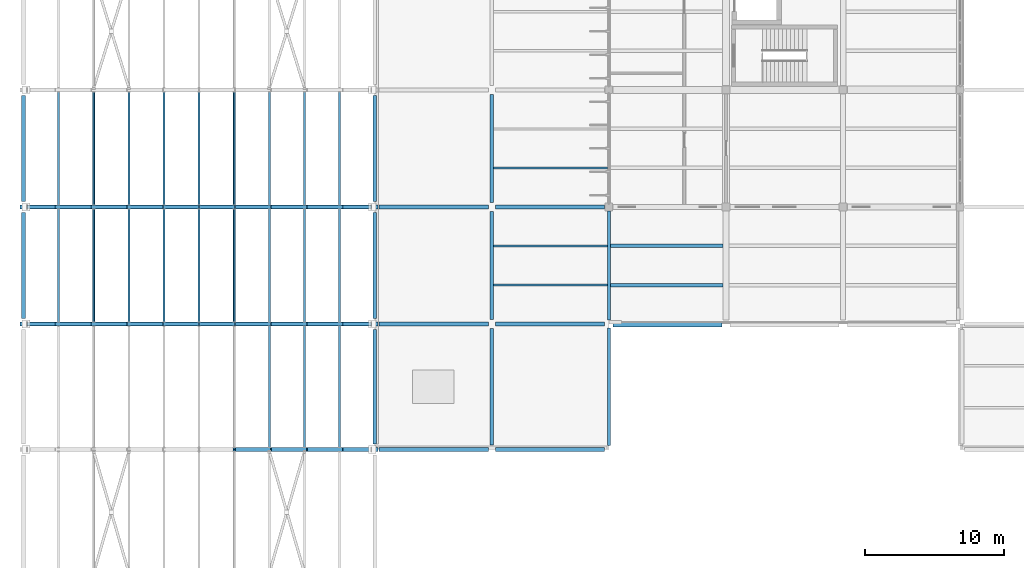
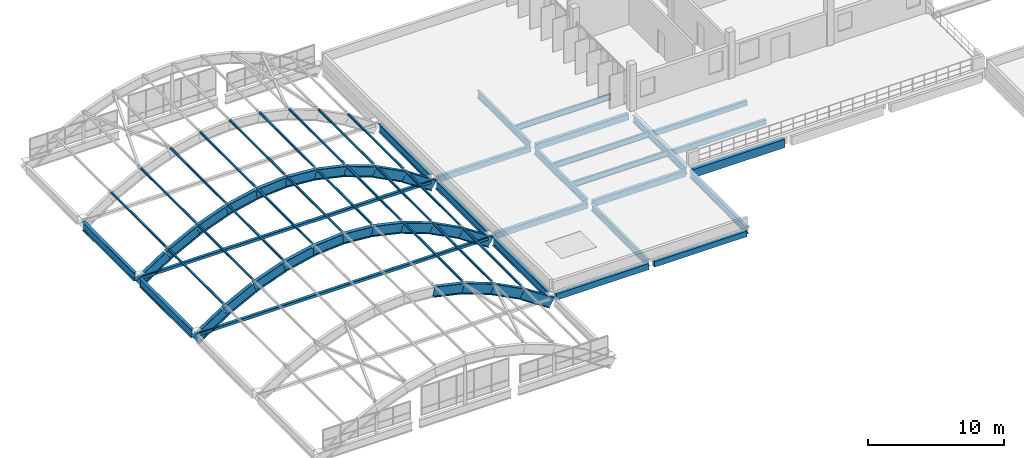
# One storey, part 12 of 130: 46 beams, 23 members.
"""IFC4 building model written with IfcOpenShell, lengths in metres."""

from ifc_helpers import new_model, si_unit, direction, frame, origin, origin_2d, place, context, subcontext, project, spatial, rectangle, hollow_rectangle, i_section, extrude, material, material_profile, profile_set, type_object, element, save


model = new_model("IFC4")

# Units and contexts
model_context = context("Model", 3, precision=1e-05, world=origin(), true_north=direction((0.0, 1.0)))
body_context = subcontext(model_context, "Body", "Model", "MODEL_VIEW")
ifc_project = project(units=[si_unit("LENGTHUNIT", "METRE"), si_unit("AREAUNIT", "SQUARE_METRE"), si_unit("VOLUMEUNIT", "CUBIC_METRE"), si_unit("PLANEANGLEUNIT", "RADIAN"), si_unit("MASSUNIT", "GRAM", prefix="KILO")], contexts=[model_context])

# Site, building, storey
site_placement = place(None, origin())
site = spatial("IfcSite", under=ifc_project, at=site_placement, CompositionType="ELEMENT")
building_placement = place(site_placement, origin())
building = spatial("IfcBuilding", under=site, at=building_placement, Name="Vireocrest Preparatory School", CompositionType="ELEMENT")
storey_placement = place(building_placement, frame((0.0, 0.0, 9.0)))
storey = spatial("IfcBuildingStorey", under=building, at=storey_placement, Name="L02", CompositionType="ELEMENT", Elevation=9.0)

# Members
ifc_material_1 = material(Name="Structural steel ASTM A500 Grade C", Category="steel")
ifc_material_profile_1 = material_profile(ifc_material_1, hollow_rectangle(XDim=0.15234375, YDim=0.15234375, WallThickness=0.0087890625, InnerFilletRadius=0.0087890625, OuterFilletRadius=0.017822265625, at=origin_2d()), Name="HSS6X6X3/8")
ifc_profile_set_1 = profile_set([ifc_material_profile_1], Name="Structural steel ASTM A500 Grade C")
member_type_1 = type_object("IfcMemberType", Name="Barrel Vault Steel Purlin HSS6X6X3/8", PredefinedType="PURLIN", material=ifc_profile_set_1)
for number, where, z_axis, x_axis, name in (
    (1, (17.639892578125, 18.1474609375, 3.552001953125), (0.0, 1.0, 0.0), (-1.0, 0.0, 0.0), "Sports Hall Barrel Vault Roof Purlin 2-8"),
    (2, (20.159912109375, 18.1474609375, 2.620849609375), (0.0, 1.0, 0.0), (-1.0, 0.0, 0.0), "Sports Hall Barrel Vault Roof Purlin 2-9"),
    (3, (22.679931640625, 18.1474609375, 1.32177734375), (0.0, 1.0, 0.0), (-1.0, 0.0, 0.0), "Sports Hall Barrel Vault Roof Purlin 2-10"),
):
    element("IfcMember", number, at=place(storey_placement, frame(where, z_axis=z_axis, x_axis=x_axis)), inside=storey, type_object=member_type_1, Name=name, PredefinedType="PURLIN", context=body_context, shape_type="SweptSolid", body=[
        extrude(hollow_rectangle(XDim=0.15234375, YDim=0.15234375, WallThickness=0.0087890625, InnerFilletRadius=0.0087890625, OuterFilletRadius=0.017822265625, at=origin_2d()), origin(), (0.0, 0.0, 1.0), 8.705078125),
    ])
for number, where, z_axis, x_axis, name in (
    (4, (2.52001953125, 27.1474609375, 1.32177734375), (0.0, 1.0, 0.0), (-1.0, 0.0, 0.0), "Sports Hall Barrel Vault Roof Purlin 3-2"),
    (5, (5.0400390625, 27.1474609375, 2.620849609375), (0.0, 1.0, 0.0), (-1.0, 0.0, 0.0), "Sports Hall Barrel Vault Roof Purlin 3-3"),
    (6, (7.56005859375, 27.1474609375, 3.552001953125), (0.0, 1.0, 0.0), (-1.0, 0.0, 0.0), "Sports Hall Barrel Vault Roof Purlin 3-4"),
    (7, (10.080078125, 27.1474609375, 4.114990234375), (0.0, 1.0, 0.0), (-1.0, 0.0, 0.0), "Sports Hall Barrel Vault Roof Purlin 3-5"),
    (8, (12.60009765625, 27.1474609375, 4.310302734375), (0.0, 1.0, 0.0), (-1.0, 0.0, 0.0), "Sports Hall Barrel Vault Roof Purlin 3-6"),
    (9, (15.1201171875, 27.1474609375, 4.114990234375), (0.0, 1.0, 0.0), (-1.0, 0.0, 0.0), "Sports Hall Barrel Vault Roof Purlin 3-7"),
    (10, (17.639892578125, 27.1474609375, 3.552001953125), (0.0, 1.0, 0.0), (-1.0, 0.0, 0.0), "Sports Hall Barrel Vault Roof Purlin 3-8"),
    (11, (20.159912109375, 27.1474609375, 2.620849609375), (0.0, 1.0, 0.0), (-1.0, 0.0, 0.0), "Sports Hall Barrel Vault Roof Purlin 3-9"),
    (12, (22.679931640625, 27.1474609375, 1.32177734375), (0.0, 1.0, 0.0), (-1.0, 0.0, 0.0), "Sports Hall Barrel Vault Roof Purlin 3-10"),
    (13, (2.52001953125, 35.547607421875, 1.32177734375), (0.0, 1.0, 0.0), (-1.0, 0.0, 0.0), "Sports Hall Barrel Vault Roof Purlin 4-2"),
    (14, (5.0400390625, 35.547607421875, 2.620849609375), (0.0, 1.0, 0.0), (-1.0, 0.0, 0.0), "Sports Hall Barrel Vault Roof Purlin 4-3"),
    (15, (7.56005859375, 35.547607421875, 3.552001953125), (0.0, 1.0, 0.0), (-1.0, 0.0, 0.0), "Sports Hall Barrel Vault Roof Purlin 4-4"),
    (16, (10.080078125, 35.547607421875, 4.114990234375), (0.0, 1.0, 0.0), (-1.0, 0.0, 0.0), "Sports Hall Barrel Vault Roof Purlin 4-5"),
    (17, (12.60009765625, 35.547607421875, 4.310302734375), (0.0, 1.0, 0.0), (-1.0, 0.0, 0.0), "Sports Hall Barrel Vault Roof Purlin 4-6"),
    (18, (15.1201171875, 35.547607421875, 4.114990234375), (0.0, 1.0, 0.0), (-1.0, 0.0, 0.0), "Sports Hall Barrel Vault Roof Purlin 4-7"),
    (19, (17.639892578125, 35.547607421875, 3.552001953125), (0.0, 1.0, 0.0), (-1.0, 0.0, 0.0), "Sports Hall Barrel Vault Roof Purlin 4-8"),
    (20, (20.159912109375, 35.547607421875, 2.620849609375), (0.0, 1.0, 0.0), (-1.0, 0.0, 0.0), "Sports Hall Barrel Vault Roof Purlin 4-9"),
    (21, (22.679931640625, 35.547607421875, 1.32177734375), (0.0, 1.0, 0.0), (-1.0, 0.0, 0.0), "Sports Hall Barrel Vault Roof Purlin 4-10"),
):
    element("IfcMember", number, at=place(storey_placement, frame(where, z_axis=z_axis, x_axis=x_axis)), inside=storey, type_object=member_type_1, Name=name, PredefinedType="PURLIN", context=body_context, shape_type="SweptSolid", body=[
        extrude(hollow_rectangle(XDim=0.15234375, YDim=0.15234375, WallThickness=0.0087890625, InnerFilletRadius=0.0087890625, OuterFilletRadius=0.017822265625, at=origin_2d()), origin(), (0.0, 0.0, 1.0), 8.10498046875),
    ])

# Beams
ifc_material_2 = material(Name="Structural steel ASTM A992 Grade 50", Category="steel")
ifc_material_profile_2 = material_profile(ifc_material_2, i_section(OverallWidth=0.22802734375, OverallDepth=0.60791015625, WebThickness=0.01123046875, FlangeThickness=0.017333984375, FilletRadius=0.01611328125, at=origin_2d()), Name="W24X76")
ifc_profile_set_2 = profile_set([ifc_material_profile_2], Name="Structural steel ASTM A992 Grade 50")
beam_type_1 = type_object("IfcBeamType", Name="Gallery Steel Girder W24X76", PredefinedType="BEAM", material=ifc_profile_set_2)
beam_1_placement = place(storey_placement, frame((33.60009765625, 18.324951171875, -0.52392578125), z_axis=(0.0, 1.0, 0.0), x_axis=(-1.0, 0.0, 0.0)))
element("IfcBeam", 22, at=beam_1_placement, inside=storey, type_object=beam_type_1, Name="Primary Girder SB3 L02-0783", PredefinedType="BEAM", context=body_context, shape_type="SweptSolid", body=[
    extrude(i_section(OverallWidth=0.22802734375, OverallDepth=0.60791015625, WebThickness=0.01123046875, FlangeThickness=0.017333984375, FilletRadius=0.01611328125, at=origin_2d()), origin(), (0.0, 0.0, 1.0), 8.35009765625),
])
for number, where, z_axis, x_axis, name in (
    (23, (33.60009765625, 27.324951171875, -0.52392578125), (0.0, 1.0, 0.0), (-1.0, 0.0, 0.0), "Primary Girder SB3 L02-0784"),
    (24, (33.60009765625, 35.72509765625, -0.52392578125), (0.0, 1.0, 0.0), (-1.0, 0.0, 0.0), "Primary Girder SB3 L02-0785"),
):
    element("IfcBeam", number, at=place(storey_placement, frame(where, z_axis=z_axis, x_axis=x_axis)), inside=storey, type_object=beam_type_1, Name=name, PredefinedType="BEAM", context=body_context, shape_type="SweptSolid", body=[
        extrude(i_section(OverallWidth=0.22802734375, OverallDepth=0.60791015625, WebThickness=0.01123046875, FlangeThickness=0.017333984375, FilletRadius=0.01611328125, at=origin_2d()), origin(), (0.0, 0.0, 1.0), 7.75),
    ])
beam_2_placement = place(storey_placement, frame((42.0, 18.300048828125, -0.52392578125), z_axis=(0.0, 1.0, 0.0), x_axis=(-1.0, 0.0, 0.0)))
element("IfcBeam", 25, at=beam_2_placement, inside=storey, type_object=beam_type_1, Name="Primary Girder SB3 L02-0787", PredefinedType="BEAM", context=body_context, shape_type="SweptSolid", body=[
    extrude(i_section(OverallWidth=0.22802734375, OverallDepth=0.60791015625, WebThickness=0.01123046875, FlangeThickness=0.017333984375, FilletRadius=0.01611328125, at=origin_2d()), origin(), (0.0, 0.0, 1.0), 8.39990234375),
])
beam_3_placement = place(storey_placement, frame((42.0, 27.300048828125, -0.6240234375), z_axis=(0.0, 1.0, 0.0), x_axis=(-1.0, 0.0, 0.0)))
element("IfcBeam", 26, at=beam_3_placement, inside=storey, type_object=beam_type_1, Name="Primary Girder SB3 L02-0788", PredefinedType="BEAM", context=body_context, shape_type="SweptSolid", body=[
    extrude(i_section(OverallWidth=0.22802734375, OverallDepth=0.60791015625, WebThickness=0.01123046875, FlangeThickness=0.017333984375, FilletRadius=0.01611328125, at=origin_2d()), origin(), (0.0, 0.0, 1.0), 7.800048828125),
])
ifc_material_profile_3 = material_profile(ifc_material_2, i_section(OverallWidth=0.166015625, OverallDepth=0.529052734375, WebThickness=0.009765625, FlangeThickness=0.013671875, FilletRadius=0.014892578125, at=origin_2d()), Name="W21X50")
ifc_profile_set_3 = profile_set([ifc_material_profile_3], Name="Structural steel ASTM A992 Grade 50")
beam_type_2 = type_object("IfcBeamType", Name="Pavilion Roof Joist W21X50", PredefinedType="JOIST", material=ifc_profile_set_3)
for number, where, z_axis, x_axis, name in (
    (27, (33.714111328125, 29.800048828125, -0.484619140625), (1.0, 0.0, 0.0), (0.0, 1.0, 0.0), "Secondary Joist SJ1 L02-0884"),
    (28, (33.714111328125, 32.60009765625, -0.484619140625), (1.0, 0.0, 0.0), (0.0, 1.0, 0.0), "Secondary Joist SJ1 L02-0885"),
    (29, (33.714111328125, 38.199951171875, -0.484619140625), (1.0, 0.0, 0.0), (0.0, 1.0, 0.0), "Secondary Joist SJ1 L02-0886"),
):
    element("IfcBeam", number, at=place(storey_placement, frame(where, z_axis=z_axis, x_axis=x_axis)), inside=storey, type_object=beam_type_2, Name=name, PredefinedType="JOIST", context=body_context, shape_type="SweptSolid", body=[
        extrude(i_section(OverallWidth=0.166015625, OverallDepth=0.529052734375, WebThickness=0.009765625, FlangeThickness=0.013671875, FilletRadius=0.014892578125, at=origin_2d()), origin(), (0.0, 0.0, 1.0), 8.171875),
    ])
ifc_material_3 = material(Name="Concrete 40 MPa", Category="concrete")
ifc_material_profile_4 = material_profile(ifc_material_3, rectangle(XDim=0.39990234375, YDim=0.75, at=origin_2d()), Name="RC 400x750")
ifc_profile_set_4 = profile_set([ifc_material_profile_4], Name="Concrete 40 MPa")
beam_type_3 = type_object("IfcBeamType", Name="RC Commons Girder 400x750", PredefinedType="BEAM", material=ifc_profile_set_4)
beam_4_placement = place(storey_placement, frame((42.300048828125, 27.0, -0.695068359375), z_axis=(1.0, 0.0, 0.0), x_axis=(0.0, 1.0, 0.0)))
element("IfcBeam", 30, at=beam_4_placement, inside=storey, type_object=beam_type_3, Name="Primary Girder B09 L02-0691", PredefinedType="BEAM", context=body_context, shape_type="SweptSolid", body=[
    extrude(rectangle(XDim=0.39990234375, YDim=0.75, at=origin_2d()), origin(), (0.0, 0.0, 1.0), 7.800048828125),
])
ifc_material_profile_5 = material_profile(ifc_material_3, rectangle(XDim=0.300048828125, YDim=0.5, at=origin_2d()), Name="RC 300x500")
ifc_profile_set_5 = profile_set([ifc_material_profile_5], Name="Concrete 40 MPa")
beam_type_4 = type_object("IfcBeamType", Name="RC Roof Edge Beam 300x500", PredefinedType="BEAM", material=ifc_profile_set_5)
beam_5_placement = place(storey_placement, frame((33.85009765625, 18.0, -0.469970703125), z_axis=(1.0, 0.0, 0.0), x_axis=(0.0, 1.0, 0.0)))
element("IfcBeam", 31, at=beam_5_placement, inside=storey, type_object=beam_type_4, Name="Primary Girder B01 L02-0679", PredefinedType="BEAM", context=body_context, shape_type="SweptSolid", body=[
    extrude(rectangle(XDim=0.300048828125, YDim=0.5, at=origin_2d()), origin(), (0.0, 0.0, 1.0), 7.849853515625),
])
for number, where, z_axis, x_axis, name in (
    (32, (25.5, 27.0, -0.469970703125), (1.0, 0.0, 0.0), (0.0, 1.0, 0.0), "Primary Girder B01 L02-0689"),
    (33, (25.5, 35.39990234375, -0.469970703125), (1.0, 0.0, 0.0), (0.0, 1.0, 0.0), "Primary Girder B01 L02-0703"),
):
    element("IfcBeam", number, at=place(storey_placement, frame(where, z_axis=z_axis, x_axis=x_axis)), inside=storey, type_object=beam_type_4, Name=name, PredefinedType="BEAM", context=body_context, shape_type="SweptSolid", body=[
        extrude(rectangle(XDim=0.300048828125, YDim=0.5, at=origin_2d()), origin(), (0.0, 0.0, 1.0), 7.85009765625),
    ])
ifc_material_profile_6 = material_profile(ifc_material_3, rectangle(XDim=0.300048828125, YDim=0.550048828125, at=origin_2d()), Name="RC 300x550")
ifc_profile_set_6 = profile_set([ifc_material_profile_6], Name="Concrete 40 MPa")
beam_type_5 = type_object("IfcBeamType", Name="RC Roof Girder 300x550", PredefinedType="BEAM", material=ifc_profile_set_6)
beam_6_placement = place(storey_placement, frame((25.5, 18.0, -0.4951171875), z_axis=(1.0, 0.0, 0.0), x_axis=(0.0, 1.0, 0.0)))
element("IfcBeam", 34, at=beam_6_placement, inside=storey, type_object=beam_type_5, Name="Primary Girder B02 L02-0678", PredefinedType="BEAM", context=body_context, shape_type="SweptSolid", body=[
    extrude(rectangle(XDim=0.300048828125, YDim=0.550048828125, at=origin_2d()), origin(), (0.0, 0.0, 1.0), 7.85009765625),
])
for number, where, z_axis, x_axis, name in (
    (35, (33.85009765625, 27.0, -0.4951171875), (1.0, 0.0, 0.0), (0.0, 1.0, 0.0), "Primary Girder B02 L02-0690"),
    (36, (33.85009765625, 35.39990234375, -0.4951171875), (1.0, 0.0, 0.0), (0.0, 1.0, 0.0), "Primary Girder B02 L02-0704"),
):
    element("IfcBeam", number, at=place(storey_placement, frame(where, z_axis=z_axis, x_axis=x_axis)), inside=storey, type_object=beam_type_5, Name=name, PredefinedType="BEAM", context=body_context, shape_type="SweptSolid", body=[
        extrude(rectangle(XDim=0.300048828125, YDim=0.550048828125, at=origin_2d()), origin(), (0.0, 0.0, 1.0), 7.849853515625),
    ])
ifc_material_profile_7 = material_profile(ifc_material_3, rectangle(XDim=0.25, YDim=0.449951171875, at=origin_2d()), Name="RC 250x450")
ifc_profile_set_7 = profile_set([ifc_material_profile_7], Name="Concrete 40 MPa")
beam_type_6 = type_object("IfcBeamType", Name="RC Secondary Floor Joist 250x450", PredefinedType="JOIST", material=ifc_profile_set_7)
for number, where, z_axis, x_axis, name in (
    (37, (42.114013671875, 29.800048828125, -0.544921875), (1.0, 0.0, 0.0), (0.0, 1.0, 0.0), "Secondary Joist J01 L02-0890"),
    (38, (42.114013671875, 32.60009765625, -0.544921875), (1.0, 0.0, 0.0), (0.0, 1.0, 0.0), "Secondary Joist J01 L02-0891"),
):
    element("IfcBeam", number, at=place(storey_placement, frame(where, z_axis=z_axis, x_axis=x_axis)), inside=storey, type_object=beam_type_6, Name=name, PredefinedType="JOIST", context=body_context, shape_type="SweptSolid", body=[
        extrude(rectangle(XDim=0.25, YDim=0.449951171875, at=origin_2d()), origin(), (0.0, 0.0, 1.0), 8.06103515625),
    ])
ifc_material_profile_8 = material_profile(ifc_material_2, i_section(OverallWidth=0.304931640625, OverallDepth=0.912109375, WebThickness=0.015869140625, FlangeThickness=0.02392578125, FilletRadius=0.02392578125, at=origin_2d()), Name="W36X150")
ifc_profile_set_8 = profile_set([ifc_material_profile_8], Name="Structural steel ASTM A992 Grade 50")
beam_type_7 = type_object("IfcBeamType", Name="Sports Hall Barrel Vault Arch Rib W36X150", PredefinedType="BEAM", material=ifc_profile_set_8)
beam_7_placement = place(storey_placement, frame((15.1201171875, 18.0, 3.583984375), z_axis=(0.975937226942, 0.0, -0.218051666053), x_axis=(0.0, 1.0, 0.0)))
element("IfcBeam", 39, at=beam_7_placement, inside=storey, type_object=beam_type_7, Name="Sports Hall Barrel Vault Roof Arch Rib 2 Seg 7", PredefinedType="BEAM", context=body_context, shape_type="SweptSolid", body=[
    extrude(i_section(OverallWidth=0.304931640625, OverallDepth=0.912109375, WebThickness=0.015869140625, FlangeThickness=0.02392578125, FilletRadius=0.02392578125, at=origin_2d()), origin(), (0.0, 0.0, 1.0), 2.581787109375),
])
beam_8_placement = place(storey_placement, frame((17.639892578125, 18.0, 3.002197265625), z_axis=(0.938043310504, 0.0, -0.346518033613), x_axis=(0.0, 1.0, 0.0)))
element("IfcBeam", 40, at=beam_8_placement, inside=storey, type_object=beam_type_7, Name="Sports Hall Barrel Vault Roof Arch Rib 2 Seg 8", PredefinedType="BEAM", context=body_context, shape_type="SweptSolid", body=[
    extrude(i_section(OverallWidth=0.304931640625, OverallDepth=0.912109375, WebThickness=0.015869140625, FlangeThickness=0.02392578125, FilletRadius=0.02392578125, at=origin_2d()), origin(), (0.0, 0.0, 1.0), 2.6865234375),
])
beam_9_placement = place(storey_placement, frame((20.159912109375, 18.0, 2.04443359375), z_axis=(0.888848104135, 0.0, -0.458201972689), x_axis=(0.0, 1.0, 0.0)))
element("IfcBeam", 41, at=beam_9_placement, inside=storey, type_object=beam_type_7, Name="Sports Hall Barrel Vault Roof Arch Rib 2 Seg 9", PredefinedType="BEAM", context=body_context, shape_type="SweptSolid", body=[
    extrude(i_section(OverallWidth=0.304931640625, OverallDepth=0.912109375, WebThickness=0.015869140625, FlangeThickness=0.02392578125, FilletRadius=0.02392578125, at=origin_2d()), origin(), (0.0, 0.0, 1.0), 2.835205078125),
])
for number, where, z_axis, x_axis, name in (
    (42, (22.679931640625, 18.0, 0.7119140625), (0.835706541366, 0.0, -0.54917627108), (0.0, 1.0, 0.0), "Sports Hall Barrel Vault Roof Arch Rib 2 Seg 10"),
    (43, (0.0, 27.0, -0.944091796875), (0.835706541366, 0.0, 0.54917627108), (0.0, 1.0, 0.0), "Sports Hall Barrel Vault Roof Arch Rib 3 Seg 1"),
):
    element("IfcBeam", number, at=place(storey_placement, frame(where, z_axis=z_axis, x_axis=x_axis)), inside=storey, type_object=beam_type_7, Name=name, PredefinedType="BEAM", context=body_context, shape_type="SweptSolid", body=[
        extrude(i_section(OverallWidth=0.304931640625, OverallDepth=0.912109375, WebThickness=0.015869140625, FlangeThickness=0.02392578125, FilletRadius=0.02392578125, at=origin_2d()), origin(), (0.0, 0.0, 1.0), 3.015380859375),
    ])
beam_10_placement = place(storey_placement, frame((2.52001953125, 27.0, 0.745361328125), z_axis=(0.888848104135, 0.0, 0.458201972689), x_axis=(0.0, 1.0, 0.0)))
element("IfcBeam", 44, at=beam_10_placement, inside=storey, type_object=beam_type_7, Name="Sports Hall Barrel Vault Roof Arch Rib 3 Seg 2", PredefinedType="BEAM", context=body_context, shape_type="SweptSolid", body=[
    extrude(i_section(OverallWidth=0.304931640625, OverallDepth=0.912109375, WebThickness=0.015869140625, FlangeThickness=0.02392578125, FilletRadius=0.02392578125, at=origin_2d()), origin(), (0.0, 0.0, 1.0), 2.835205078125),
])
beam_11_placement = place(storey_placement, frame((5.0400390625, 27.0, 2.0712890625), z_axis=(0.938043310504, 0.0, 0.346518033613), x_axis=(0.0, 1.0, 0.0)))
element("IfcBeam", 45, at=beam_11_placement, inside=storey, type_object=beam_type_7, Name="Sports Hall Barrel Vault Roof Arch Rib 3 Seg 3", PredefinedType="BEAM", context=body_context, shape_type="SweptSolid", body=[
    extrude(i_section(OverallWidth=0.304931640625, OverallDepth=0.912109375, WebThickness=0.015869140625, FlangeThickness=0.02392578125, FilletRadius=0.02392578125, at=origin_2d()), origin(), (0.0, 0.0, 1.0), 2.6865234375),
])
beam_12_placement = place(storey_placement, frame((7.56005859375, 27.0, 3.02099609375), z_axis=(0.975941722244, 0.0, 0.218031545388), x_axis=(0.0, 1.0, 0.0)))
element("IfcBeam", 46, at=beam_12_placement, inside=storey, type_object=beam_type_7, Name="Sports Hall Barrel Vault Roof Arch Rib 3 Seg 4", PredefinedType="BEAM", context=body_context, shape_type="SweptSolid", body=[
    extrude(i_section(OverallWidth=0.304931640625, OverallDepth=0.912109375, WebThickness=0.015869140625, FlangeThickness=0.02392578125, FilletRadius=0.02392578125, at=origin_2d()), origin(), (0.0, 0.0, 1.0), 2.58203125),
])
for number, where, z_axis, x_axis, name in (
    (47, (10.080078125, 27.0, 3.59375), (0.997017437862, 0.0, 0.077176606554), (0.0, 1.0, 0.0), "Sports Hall Barrel Vault Roof Arch Rib 3 Seg 5"),
    (48, (12.60009765625, 27.0, 3.788818359375), (0.997017437862, 0.0, -0.077176606554), (0.0, 1.0, 0.0), "Sports Hall Barrel Vault Roof Arch Rib 3 Seg 6"),
):
    element("IfcBeam", number, at=place(storey_placement, frame(where, z_axis=z_axis, x_axis=x_axis)), inside=storey, type_object=beam_type_7, Name=name, PredefinedType="BEAM", context=body_context, shape_type="SweptSolid", body=[
        extrude(i_section(OverallWidth=0.304931640625, OverallDepth=0.912109375, WebThickness=0.015869140625, FlangeThickness=0.02392578125, FilletRadius=0.02392578125, at=origin_2d()), origin(), (0.0, 0.0, 1.0), 2.527587890625),
    ])
beam_13_placement = place(storey_placement, frame((15.1201171875, 27.0, 3.583984375), z_axis=(0.975937226942, 0.0, -0.218051666053), x_axis=(0.0, 1.0, 0.0)))
element("IfcBeam", 49, at=beam_13_placement, inside=storey, type_object=beam_type_7, Name="Sports Hall Barrel Vault Roof Arch Rib 3 Seg 7", PredefinedType="BEAM", context=body_context, shape_type="SweptSolid", body=[
    extrude(i_section(OverallWidth=0.304931640625, OverallDepth=0.912109375, WebThickness=0.015869140625, FlangeThickness=0.02392578125, FilletRadius=0.02392578125, at=origin_2d()), origin(), (0.0, 0.0, 1.0), 2.581787109375),
])
beam_14_placement = place(storey_placement, frame((17.639892578125, 27.0, 3.002197265625), z_axis=(0.938043310504, 0.0, -0.346518033613), x_axis=(0.0, 1.0, 0.0)))
element("IfcBeam", 50, at=beam_14_placement, inside=storey, type_object=beam_type_7, Name="Sports Hall Barrel Vault Roof Arch Rib 3 Seg 8", PredefinedType="BEAM", context=body_context, shape_type="SweptSolid", body=[
    extrude(i_section(OverallWidth=0.304931640625, OverallDepth=0.912109375, WebThickness=0.015869140625, FlangeThickness=0.02392578125, FilletRadius=0.02392578125, at=origin_2d()), origin(), (0.0, 0.0, 1.0), 2.6865234375),
])
beam_15_placement = place(storey_placement, frame((20.159912109375, 27.0, 2.04443359375), z_axis=(0.888848104135, 0.0, -0.458201972689), x_axis=(0.0, 1.0, 0.0)))
element("IfcBeam", 51, at=beam_15_placement, inside=storey, type_object=beam_type_7, Name="Sports Hall Barrel Vault Roof Arch Rib 3 Seg 9", PredefinedType="BEAM", context=body_context, shape_type="SweptSolid", body=[
    extrude(i_section(OverallWidth=0.304931640625, OverallDepth=0.912109375, WebThickness=0.015869140625, FlangeThickness=0.02392578125, FilletRadius=0.02392578125, at=origin_2d()), origin(), (0.0, 0.0, 1.0), 2.835205078125),
])
for number, where, z_axis, x_axis, name in (
    (52, (22.679931640625, 27.0, 0.7119140625), (0.835706541366, 0.0, -0.54917627108), (0.0, 1.0, 0.0), "Sports Hall Barrel Vault Roof Arch Rib 3 Seg 10"),
    (53, (0.0, 35.39990234375, -0.944091796875), (0.835706541366, 0.0, 0.54917627108), (0.0, 1.0, 0.0), "Sports Hall Barrel Vault Roof Arch Rib 4 Seg 1"),
):
    element("IfcBeam", number, at=place(storey_placement, frame(where, z_axis=z_axis, x_axis=x_axis)), inside=storey, type_object=beam_type_7, Name=name, PredefinedType="BEAM", context=body_context, shape_type="SweptSolid", body=[
        extrude(i_section(OverallWidth=0.304931640625, OverallDepth=0.912109375, WebThickness=0.015869140625, FlangeThickness=0.02392578125, FilletRadius=0.02392578125, at=origin_2d()), origin(), (0.0, 0.0, 1.0), 3.015380859375),
    ])
beam_16_placement = place(storey_placement, frame((2.52001953125, 35.39990234375, 0.745361328125), z_axis=(0.888848104135, 0.0, 0.458201972689), x_axis=(0.0, 1.0, 0.0)))
element("IfcBeam", 54, at=beam_16_placement, inside=storey, type_object=beam_type_7, Name="Sports Hall Barrel Vault Roof Arch Rib 4 Seg 2", PredefinedType="BEAM", context=body_context, shape_type="SweptSolid", body=[
    extrude(i_section(OverallWidth=0.304931640625, OverallDepth=0.912109375, WebThickness=0.015869140625, FlangeThickness=0.02392578125, FilletRadius=0.02392578125, at=origin_2d()), origin(), (0.0, 0.0, 1.0), 2.835205078125),
])
beam_17_placement = place(storey_placement, frame((5.0400390625, 35.39990234375, 2.0712890625), z_axis=(0.938043310504, 0.0, 0.346518033613), x_axis=(0.0, 1.0, 0.0)))
element("IfcBeam", 55, at=beam_17_placement, inside=storey, type_object=beam_type_7, Name="Sports Hall Barrel Vault Roof Arch Rib 4 Seg 3", PredefinedType="BEAM", context=body_context, shape_type="SweptSolid", body=[
    extrude(i_section(OverallWidth=0.304931640625, OverallDepth=0.912109375, WebThickness=0.015869140625, FlangeThickness=0.02392578125, FilletRadius=0.02392578125, at=origin_2d()), origin(), (0.0, 0.0, 1.0), 2.6865234375),
])
beam_18_placement = place(storey_placement, frame((7.56005859375, 35.39990234375, 3.02099609375), z_axis=(0.975941722244, 0.0, 0.218031545388), x_axis=(0.0, 1.0, 0.0)))
element("IfcBeam", 56, at=beam_18_placement, inside=storey, type_object=beam_type_7, Name="Sports Hall Barrel Vault Roof Arch Rib 4 Seg 4", PredefinedType="BEAM", context=body_context, shape_type="SweptSolid", body=[
    extrude(i_section(OverallWidth=0.304931640625, OverallDepth=0.912109375, WebThickness=0.015869140625, FlangeThickness=0.02392578125, FilletRadius=0.02392578125, at=origin_2d()), origin(), (0.0, 0.0, 1.0), 2.58203125),
])
for number, where, z_axis, x_axis, name in (
    (57, (10.080078125, 35.39990234375, 3.59375), (0.997017437862, 0.0, 0.077176606554), (0.0, 1.0, 0.0), "Sports Hall Barrel Vault Roof Arch Rib 4 Seg 5"),
    (58, (12.60009765625, 35.39990234375, 3.788818359375), (0.997017437862, 0.0, -0.077176606554), (0.0, 1.0, 0.0), "Sports Hall Barrel Vault Roof Arch Rib 4 Seg 6"),
):
    element("IfcBeam", number, at=place(storey_placement, frame(where, z_axis=z_axis, x_axis=x_axis)), inside=storey, type_object=beam_type_7, Name=name, PredefinedType="BEAM", context=body_context, shape_type="SweptSolid", body=[
        extrude(i_section(OverallWidth=0.304931640625, OverallDepth=0.912109375, WebThickness=0.015869140625, FlangeThickness=0.02392578125, FilletRadius=0.02392578125, at=origin_2d()), origin(), (0.0, 0.0, 1.0), 2.527587890625),
    ])
beam_19_placement = place(storey_placement, frame((15.1201171875, 35.39990234375, 3.583984375), z_axis=(0.975937226942, 0.0, -0.218051666053), x_axis=(0.0, 1.0, 0.0)))
element("IfcBeam", 59, at=beam_19_placement, inside=storey, type_object=beam_type_7, Name="Sports Hall Barrel Vault Roof Arch Rib 4 Seg 7", PredefinedType="BEAM", context=body_context, shape_type="SweptSolid", body=[
    extrude(i_section(OverallWidth=0.304931640625, OverallDepth=0.912109375, WebThickness=0.015869140625, FlangeThickness=0.02392578125, FilletRadius=0.02392578125, at=origin_2d()), origin(), (0.0, 0.0, 1.0), 2.581787109375),
])
beam_20_placement = place(storey_placement, frame((17.639892578125, 35.39990234375, 3.002197265625), z_axis=(0.938043310504, 0.0, -0.346518033613), x_axis=(0.0, 1.0, 0.0)))
element("IfcBeam", 60, at=beam_20_placement, inside=storey, type_object=beam_type_7, Name="Sports Hall Barrel Vault Roof Arch Rib 4 Seg 8", PredefinedType="BEAM", context=body_context, shape_type="SweptSolid", body=[
    extrude(i_section(OverallWidth=0.304931640625, OverallDepth=0.912109375, WebThickness=0.015869140625, FlangeThickness=0.02392578125, FilletRadius=0.02392578125, at=origin_2d()), origin(), (0.0, 0.0, 1.0), 2.6865234375),
])
beam_21_placement = place(storey_placement, frame((20.159912109375, 35.39990234375, 2.04443359375), z_axis=(0.888848104135, 0.0, -0.458201972689), x_axis=(0.0, 1.0, 0.0)))
element("IfcBeam", 61, at=beam_21_placement, inside=storey, type_object=beam_type_7, Name="Sports Hall Barrel Vault Roof Arch Rib 4 Seg 9", PredefinedType="BEAM", context=body_context, shape_type="SweptSolid", body=[
    extrude(i_section(OverallWidth=0.304931640625, OverallDepth=0.912109375, WebThickness=0.015869140625, FlangeThickness=0.02392578125, FilletRadius=0.02392578125, at=origin_2d()), origin(), (0.0, 0.0, 1.0), 2.835205078125),
])
beam_22_placement = place(storey_placement, frame((22.679931640625, 35.39990234375, 0.7119140625), z_axis=(0.835706541366, 0.0, -0.54917627108), x_axis=(0.0, 1.0, 0.0)))
element("IfcBeam", 62, at=beam_22_placement, inside=storey, type_object=beam_type_7, Name="Sports Hall Barrel Vault Roof Arch Rib 4 Seg 10", PredefinedType="BEAM", context=body_context, shape_type="SweptSolid", body=[
    extrude(i_section(OverallWidth=0.304931640625, OverallDepth=0.912109375, WebThickness=0.015869140625, FlangeThickness=0.02392578125, FilletRadius=0.02392578125, at=origin_2d()), origin(), (0.0, 0.0, 1.0), 3.015380859375),
])
ifc_material_profile_9 = material_profile(ifc_material_2, i_section(OverallWidth=0.26708984375, OverallDepth=0.758056640625, WebThickness=0.013916015625, FlangeThickness=0.019287109375, FilletRadius=0.01904296875, at=origin_2d()), Name="W30X108")
ifc_profile_set_9 = profile_set([ifc_material_profile_9], Name="Structural steel ASTM A992 Grade 50")
beam_type_8 = type_object("IfcBeamType", Name="Sports Hall Vault Ring Beam W30X108", PredefinedType="BEAM", material=ifc_profile_set_9)
beam_23_placement = place(storey_placement, frame((25.199951171875, 18.39990234375, -0.59912109375), z_axis=(0.0, 1.0, 0.0), x_axis=(-1.0, 0.0, 0.0)))
element("IfcBeam", 63, at=beam_23_placement, inside=storey, type_object=beam_type_8, Name="Sports Hall Barrel Vault Roof Ring Beam E 18.0-27.0", PredefinedType="BEAM", context=body_context, shape_type="SweptSolid", body=[
    extrude(i_section(OverallWidth=0.26708984375, OverallDepth=0.758056640625, WebThickness=0.013916015625, FlangeThickness=0.019287109375, FilletRadius=0.01904296875, at=origin_2d()), origin(), (0.0, 0.0, 1.0), 8.2001953125),
])
for number, where, z_axis, x_axis, name in (
    (64, (0.0, 27.39990234375, -0.59912109375), (0.0, 1.0, 0.0), (-1.0, 0.0, 0.0), "Sports Hall Barrel Vault Roof Ring Beam W 27.0-35.4"),
    (65, (25.199951171875, 27.39990234375, -0.59912109375), (0.0, 1.0, 0.0), (-1.0, 0.0, 0.0), "Sports Hall Barrel Vault Roof Ring Beam E 27.0-35.4"),
):
    element("IfcBeam", number, at=place(storey_placement, frame(where, z_axis=z_axis, x_axis=x_axis)), inside=storey, type_object=beam_type_8, Name=name, PredefinedType="BEAM", context=body_context, shape_type="SweptSolid", body=[
        extrude(i_section(OverallWidth=0.26708984375, OverallDepth=0.758056640625, WebThickness=0.013916015625, FlangeThickness=0.019287109375, FilletRadius=0.01904296875, at=origin_2d()), origin(), (0.0, 0.0, 1.0), 7.60009765625),
    ])
for number, where, z_axis, x_axis, name in (
    (66, (0.0, 35.800048828125, -0.59912109375), (0.0, 1.0, 0.0), (-1.0, 0.0, 0.0), "Sports Hall Barrel Vault Roof Ring Beam W 35.4-43.8"),
    (67, (25.199951171875, 35.800048828125, -0.59912109375), (0.0, 1.0, 0.0), (-1.0, 0.0, 0.0), "Sports Hall Barrel Vault Roof Ring Beam E 35.4-43.8"),
):
    element("IfcBeam", number, at=place(storey_placement, frame(where, z_axis=z_axis, x_axis=x_axis)), inside=storey, type_object=beam_type_8, Name=name, PredefinedType="BEAM", context=body_context, shape_type="SweptSolid", body=[
        extrude(i_section(OverallWidth=0.26708984375, OverallDepth=0.758056640625, WebThickness=0.013916015625, FlangeThickness=0.019287109375, FilletRadius=0.01904296875, at=origin_2d()), origin(), (0.0, 0.0, 1.0), 7.599853515625),
    ])

# Members
ifc_material_profile_10 = material_profile(ifc_material_1, hollow_rectangle(XDim=0.25390625, YDim=0.25390625, WallThickness=0.01171875, InnerFilletRadius=0.01171875, OuterFilletRadius=0.023681640625, at=origin_2d()), Name="HSS10X10X1/2")
ifc_profile_set_10 = profile_set([ifc_material_profile_10], Name="Structural steel ASTM A500 Grade C")
member_type_2 = type_object("IfcMemberType", Name="Sports Hall Vault Springing Tie Rod HSS10X10X1/2", PredefinedType="CHORD", material=ifc_profile_set_10)
for number, where, z_axis, x_axis, name in (
    (68, (0.25, 27.0, -0.51416015625), (1.0, 0.0, 0.0), (0.0, 1.0, 0.0), "Sports Hall Barrel Vault Roof Vault Springing Tie Rod VT1-3"),
    (69, (0.25, 35.39990234375, -0.51416015625), (1.0, 0.0, 0.0), (0.0, 1.0, 0.0), "Sports Hall Barrel Vault Roof Vault Springing Tie Rod VT1-4"),
):
    element("IfcMember", number, at=place(storey_placement, frame(where, z_axis=z_axis, x_axis=x_axis)), inside=storey, type_object=member_type_2, Name=name, PredefinedType="CHORD", context=body_context, shape_type="SweptSolid", body=[
        extrude(hollow_rectangle(XDim=0.25390625, YDim=0.25390625, WallThickness=0.01171875, InnerFilletRadius=0.01171875, OuterFilletRadius=0.023681640625, at=origin_2d()), origin(), (0.0, 0.0, 1.0), 24.699951171875),
    ])

save(model, "model.ifc")
